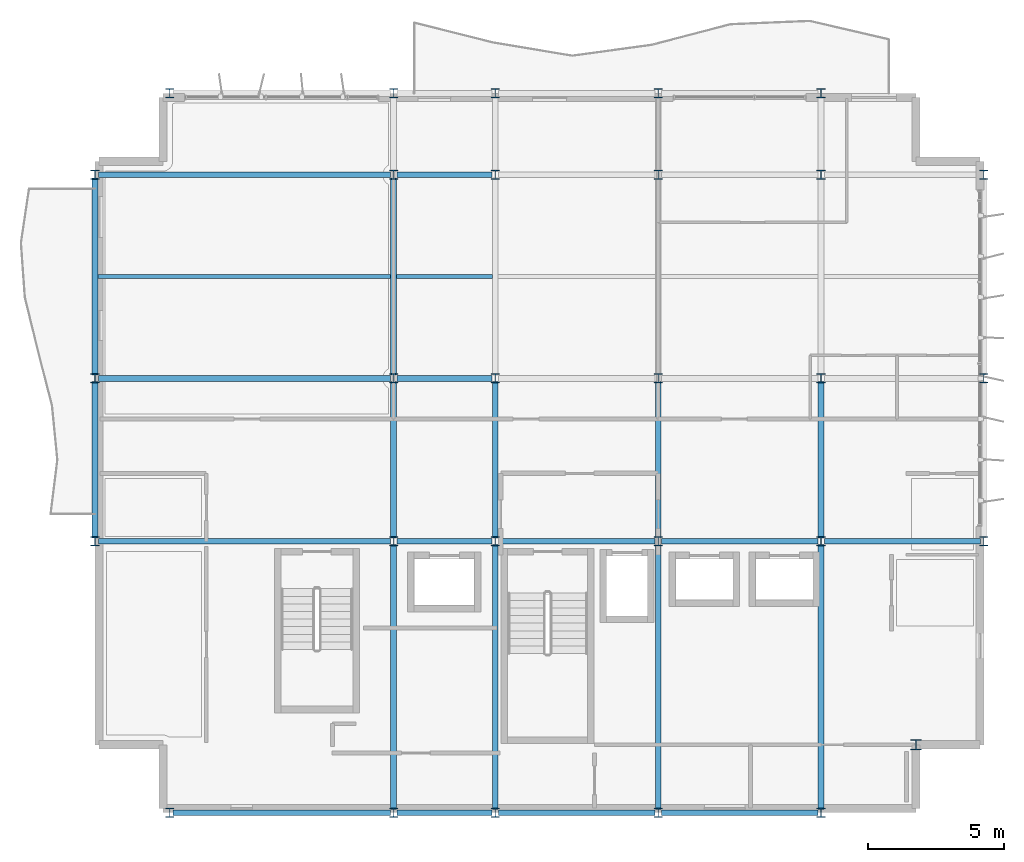
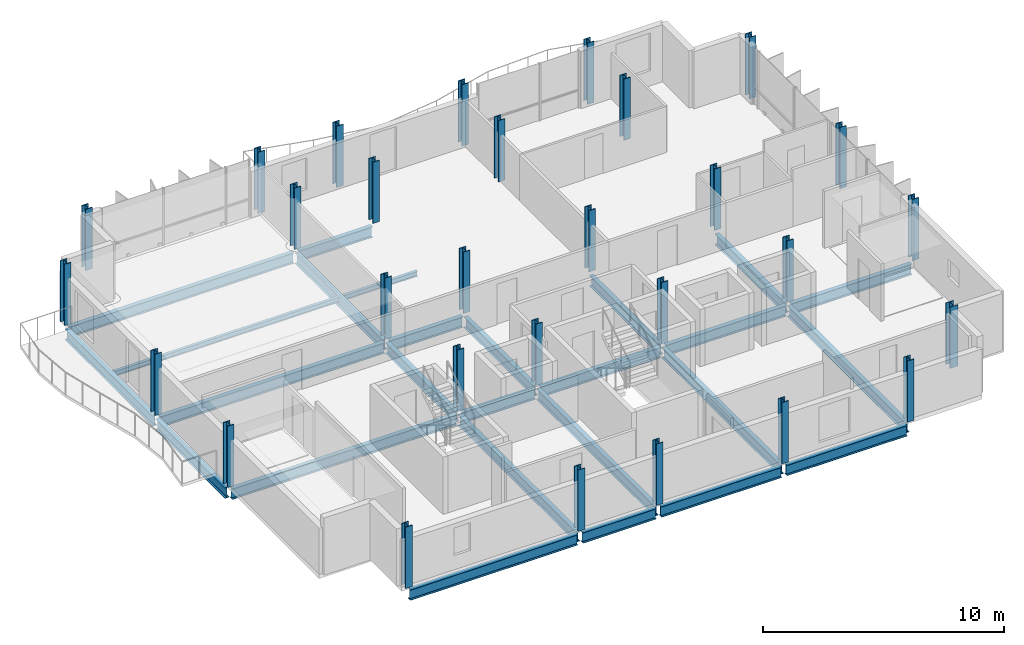
# One storey, part 1 of 12: 29 columns, 26 beams.
"""IFC4 building model written with IfcOpenShell, lengths in metres."""

from ifc_helpers import new_model, si_unit, direction, frame, origin, origin_2d, place, context, subcontext, project, spatial, i_section, extrude, material, material_profile, profile_set, type_object, element, save


model = new_model("IFC4")

# Units and contexts
model_context = context("Model", 3, precision=1e-05, world=origin(), true_north=direction((0.0, 1.0)))
body_context = subcontext(model_context, "Body", "Model", "MODEL_VIEW")
ifc_project = project(units=[si_unit("LENGTHUNIT", "METRE"), si_unit("AREAUNIT", "SQUARE_METRE"), si_unit("VOLUMEUNIT", "CUBIC_METRE"), si_unit("PLANEANGLEUNIT", "RADIAN"), si_unit("MASSUNIT", "GRAM", prefix="KILO")], contexts=[model_context])

# Site, building, storey
site_placement = place(None, origin())
site = spatial("IfcSite", under=ifc_project, at=site_placement, CompositionType="ELEMENT")
building_placement = place(site_placement, origin())
building = spatial("IfcBuilding", under=site, at=building_placement, Name="Brevholm Reach", CompositionType="ELEMENT")
storey_placement = place(building_placement, frame((0.0, 0.0, 230.39990234375)))
storey = spatial("IfcBuildingStorey", under=building, at=storey_placement, Name="L70", CompositionType="ELEMENT", Elevation=230.39990234375)

# Columns
ifc_material_1 = material(Name="Structural Steel S355J2", Category="steel")
ifc_material_profile_1 = material_profile(ifc_material_1, i_section(OverallWidth=0.374755859375, OverallDepth=0.37451171875, WebThickness=0.0166015625, FlangeThickness=0.027099609375, FilletRadius=0.01513671875, at=origin_2d()), Name="UKC 356x368x202")
ifc_profile_set_1 = profile_set([ifc_material_profile_1], Name="Structural Steel S355J2")
column_type_1 = type_object("IfcColumnType", Name="COL-UC6", PredefinedType="COLUMN", material=ifc_profile_set_1)
column_placement = place(storey_placement, frame((57.5, 2.5, 0.0), z_axis=(0.0, 0.0, 1.0), x_axis=(1.0, 0.0, 0.0)))
element("IfcColumn", 1, at=column_placement, inside=storey, type_object=column_type_1, Name="L70 Column 26", PredefinedType="COLUMN", context=body_context, shape_type="SweptSolid", body=[
    extrude(i_section(OverallWidth=0.374755859375, OverallDepth=0.37451171875, WebThickness=0.0166015625, FlangeThickness=0.027099609375, FilletRadius=0.01513671875, at=origin_2d()), origin(), (0.0, 0.0, 1.0), 3.10009765625),
])
ifc_material_2 = material(Name="Structural Steel S355J2", Category="steel")
ifc_material_profile_2 = material_profile(ifc_material_2, i_section(OverallWidth=0.318359375, OverallDepth=0.3525390625, WebThickness=0.02294921875, FlangeThickness=0.03759765625, FilletRadius=0.01513671875, at=origin_2d()), Name="UKC 305x305x240")
ifc_profile_set_2 = profile_set([ifc_material_profile_2], Name="Structural Steel S355J2")
column_type_2 = type_object("IfcColumnType", Name="COL-UC6B", PredefinedType="COLUMN", material=ifc_profile_set_2)
for number, where, z_axis, x_axis, name in (
    (2, (27.25, 10.0, 0.0), (0.0, 0.0, 1.0), (1.0, 0.0, 0.0), "L70 Column 01"),
    (3, (27.25, 16.0, 0.0), (0.0, 0.0, 1.0), (1.0, 0.0, 0.0), "L70 Column 02"),
    (4, (27.25, 23.5, 0.0), (0.0, 0.0, 1.0), (1.0, 0.0, 0.0), "L70 Column 03"),
    (5, (30.0, 0.0, 0.0), (0.0, 0.0, 1.0), (1.0, 0.0, 0.0), "L70 Column 04"),
    (6, (30.0, 26.5, 0.0), (0.0, 0.0, 1.0), (1.0, 0.0, 0.0), "L70 Column 05"),
    (7, (38.25, 0.0, 0.0), (0.0, 0.0, 1.0), (1.0, 0.0, 0.0), "L70 Column 06"),
    (8, (38.25, 10.0, 0.0), (0.0, 0.0, 1.0), (1.0, 0.0, 0.0), "L70 Column 07"),
    (9, (38.25, 16.0, 0.0), (0.0, 0.0, 1.0), (1.0, 0.0, 0.0), "L70 Column 08"),
    (10, (38.25, 23.5, 0.0), (0.0, 0.0, 1.0), (1.0, 0.0, 0.0), "L70 Column 09"),
    (11, (38.25, 26.5, 0.0), (0.0, 0.0, 1.0), (1.0, 0.0, 0.0), "L70 Column 10"),
    (12, (42.0, 0.0, 0.0), (0.0, 0.0, 1.0), (1.0, 0.0, 0.0), "L70 Column 11"),
    (13, (42.0, 10.0, 0.0), (0.0, 0.0, 1.0), (1.0, 0.0, 0.0), "L70 Column 12"),
    (14, (42.0, 16.0, 0.0), (0.0, 0.0, 1.0), (1.0, 0.0, 0.0), "L70 Column 13"),
    (15, (42.0, 23.5, 0.0), (0.0, 0.0, 1.0), (1.0, 0.0, 0.0), "L70 Column 14"),
    (16, (42.0, 26.5, 0.0), (0.0, 0.0, 1.0), (1.0, 0.0, 0.0), "L70 Column 15"),
    (17, (48.0, 0.0, 0.0), (0.0, 0.0, 1.0), (1.0, 0.0, 0.0), "L70 Column 16"),
    (18, (48.0, 10.0, 0.0), (0.0, 0.0, 1.0), (1.0, 0.0, 0.0), "L70 Column 17"),
    (19, (48.0, 16.0, 0.0), (0.0, 0.0, 1.0), (1.0, 0.0, 0.0), "L70 Column 18"),
    (20, (48.0, 23.5, 0.0), (0.0, 0.0, 1.0), (1.0, 0.0, 0.0), "L70 Column 19"),
    (21, (48.0, 26.5, 0.0), (0.0, 0.0, 1.0), (1.0, 0.0, 0.0), "L70 Column 20"),
    (22, (54.0, 0.0, 0.0), (0.0, 0.0, 1.0), (1.0, 0.0, 0.0), "L70 Column 21"),
    (23, (54.0, 10.0, 0.0), (0.0, 0.0, 1.0), (1.0, 0.0, 0.0), "L70 Column 22"),
    (24, (54.0, 16.0, 0.0), (0.0, 0.0, 1.0), (1.0, 0.0, 0.0), "L70 Column 23"),
    (25, (54.0, 23.5, 0.0), (0.0, 0.0, 1.0), (1.0, 0.0, 0.0), "L70 Column 24"),
    (26, (54.0, 26.5, 0.0), (0.0, 0.0, 1.0), (1.0, 0.0, 0.0), "L70 Column 25"),
    (27, (60.0, 10.0, 0.0), (0.0, 0.0, 1.0), (1.0, 0.0, 0.0), "L70 Column 27"),
    (28, (60.0, 16.0, 0.0), (0.0, 0.0, 1.0), (1.0, 0.0, 0.0), "L70 Column 28"),
    (29, (60.0, 23.5, 0.0), (0.0, 0.0, 1.0), (1.0, 0.0, 0.0), "L70 Column 29"),
):
    element("IfcColumn", number, at=place(storey_placement, frame(where, z_axis=z_axis, x_axis=x_axis)), inside=storey, type_object=column_type_2, Name=name, PredefinedType="COLUMN", context=body_context, shape_type="SweptSolid", body=[
        extrude(i_section(OverallWidth=0.318359375, OverallDepth=0.3525390625, WebThickness=0.02294921875, FlangeThickness=0.03759765625, FilletRadius=0.01513671875, at=origin_2d()), origin(), (0.0, 0.0, 1.0), 3.10009765625),
    ])

# Beams
ifc_material_3 = material(Name="Structural Steel S355J2", Category="steel")
ifc_material_profile_3 = material_profile(ifc_material_3, i_section(OverallWidth=0.14599609375, OverallDepth=0.25146484375, WebThickness=0.006103515625, FlangeThickness=0.008544921875, FilletRadius=0.007568359375, at=origin_2d()), Name="UKB 254x146x31")
ifc_profile_set_3 = profile_set([ifc_material_profile_3], Name="Structural Steel S355J2")
beam_type_1 = type_object("IfcBeamType", Name="BM-B254", PredefinedType="BEAM", material=ifc_profile_set_3)
beam_1_placement = place(storey_placement, frame((27.354736328125, 19.75, -0.335693359375), z_axis=(1.0, 0.0, 0.0), x_axis=(0.0, 1.0, 0.0)))
element("IfcBeam", 30, at=beam_1_placement, inside=storey, type_object=beam_type_1, Name="L70 Composite Secondary Floor Beam", PredefinedType="BEAM", context=body_context, shape_type="SweptSolid", body=[
    extrude(i_section(OverallWidth=0.14599609375, OverallDepth=0.25146484375, WebThickness=0.006103515625, FlangeThickness=0.008544921875, FilletRadius=0.007568359375, at=origin_2d()), origin(), (0.0, 0.0, 1.0), 10.789794921875),
])
beam_2_placement = place(storey_placement, frame((38.35546875, 19.75, -0.335693359375), z_axis=(1.0, 0.0, 0.0), x_axis=(0.0, 1.0, 0.0)))
element("IfcBeam", 31, at=beam_2_placement, inside=storey, type_object=beam_type_1, Name="L70 Composite Secondary Floor Beam", PredefinedType="BEAM", context=body_context, shape_type="SweptSolid", body=[
    extrude(i_section(OverallWidth=0.14599609375, OverallDepth=0.25146484375, WebThickness=0.006103515625, FlangeThickness=0.008544921875, FilletRadius=0.007568359375, at=origin_2d()), origin(), (0.0, 0.0, 1.0), 3.5390625),
])
ifc_material_4 = material(Name="Structural Steel S355J2", Category="steel")
ifc_material_profile_4 = material_profile(ifc_material_4, i_section(OverallWidth=0.209228515625, OverallDepth=0.533203125, WebThickness=0.010009765625, FlangeThickness=0.015625, FilletRadius=0.0126953125, at=origin_2d()), Name="UKB 533x210x92")
ifc_profile_set_4 = profile_set([ifc_material_profile_4], Name="Structural Steel S355J2")
beam_type_2 = type_object("IfcBeamType", Name="BM-SP533", PredefinedType="SPANDREL", material=ifc_profile_set_4)
beam_3_placement = place(storey_placement, frame((30.1201171875, 0.0, -0.4765625), z_axis=(1.0, 0.0, 0.0), x_axis=(0.0, 1.0, 0.0)))
element("IfcBeam", 32, at=beam_3_placement, inside=storey, type_object=beam_type_2, Name="L70 SP-02 Framing Beam", PredefinedType="SPANDREL", context=body_context, shape_type="SweptSolid", body=[
    extrude(i_section(OverallWidth=0.209228515625, OverallDepth=0.533203125, WebThickness=0.010009765625, FlangeThickness=0.015625, FilletRadius=0.0126953125, at=origin_2d()), origin(), (0.0, 0.0, 1.0), 8.009765625),
])
beam_4_placement = place(storey_placement, frame((38.3701171875, 0.0, -0.4765625), z_axis=(1.0, 0.0, 0.0), x_axis=(0.0, 1.0, 0.0)))
element("IfcBeam", 33, at=beam_4_placement, inside=storey, type_object=beam_type_2, Name="L70 SP-02 Framing Beam", PredefinedType="SPANDREL", context=body_context, shape_type="SweptSolid", body=[
    extrude(i_section(OverallWidth=0.209228515625, OverallDepth=0.533203125, WebThickness=0.010009765625, FlangeThickness=0.015625, FilletRadius=0.0126953125, at=origin_2d()), origin(), (0.0, 0.0, 1.0), 3.509765625),
])
for number, where, z_axis, x_axis, name in (
    (34, (42.1201171875, 0.0, -0.4765625), (1.0, 0.0, 0.0), (0.0, 1.0, 0.0), "L70 SP-02 Framing Beam"),
    (35, (48.1201171875, 0.0, -0.4765625), (1.0, 0.0, 0.0), (0.0, 1.0, 0.0), "L70 SP-02 Framing Beam"),
    (36, (27.25, 10.1201171875, -0.4765625), (0.0, 1.0, 0.0), (-1.0, 0.0, 0.0), "L70 SP-02 Framing Beam"),
):
    element("IfcBeam", number, at=place(storey_placement, frame(where, z_axis=z_axis, x_axis=x_axis)), inside=storey, type_object=beam_type_2, Name=name, PredefinedType="SPANDREL", context=body_context, shape_type="SweptSolid", body=[
        extrude(i_section(OverallWidth=0.209228515625, OverallDepth=0.533203125, WebThickness=0.010009765625, FlangeThickness=0.015625, FilletRadius=0.0126953125, at=origin_2d()), origin(), (0.0, 0.0, 1.0), 5.759765625),
    ])
beam_5_placement = place(storey_placement, frame((27.25, 16.1201171875, -0.4765625), z_axis=(0.0, 1.0, 0.0), x_axis=(-1.0, 0.0, 0.0)))
element("IfcBeam", 37, at=beam_5_placement, inside=storey, type_object=beam_type_2, Name="L70 SP-02 Framing Beam", PredefinedType="SPANDREL", context=body_context, shape_type="SweptSolid", body=[
    extrude(i_section(OverallWidth=0.209228515625, OverallDepth=0.533203125, WebThickness=0.010009765625, FlangeThickness=0.015625, FilletRadius=0.0126953125, at=origin_2d()), origin(), (0.0, 0.0, 1.0), 7.259765625),
])
ifc_material_5 = material(Name="Structural Steel S355J2", Category="steel")
ifc_material_profile_5 = material_profile(ifc_material_5, i_section(OverallWidth=0.210693359375, OverallDepth=0.53955078125, WebThickness=0.01171875, FlangeThickness=0.018798828125, FilletRadius=0.0126953125, at=origin_2d()), Name="UKB 533x210x109")
ifc_profile_set_5 = profile_set([ifc_material_profile_5], Name="Structural Steel S355J2")
beam_type_3 = type_object("IfcBeamType", Name="BM-SP539", PredefinedType="SPANDREL", material=ifc_profile_set_5)
beam_6_placement = place(storey_placement, frame((27.3701171875, 10.0, -0.479736328125), z_axis=(1.0, 0.0, 0.0), x_axis=(0.0, 1.0, 0.0)))
element("IfcBeam", 38, at=beam_6_placement, inside=storey, type_object=beam_type_3, Name="L70 SP-01B Framing Beam", PredefinedType="SPANDREL", context=body_context, shape_type="SweptSolid", body=[
    extrude(i_section(OverallWidth=0.210693359375, OverallDepth=0.53955078125, WebThickness=0.01171875, FlangeThickness=0.018798828125, FilletRadius=0.0126953125, at=origin_2d()), origin(), (0.0, 0.0, 1.0), 10.759765625),
])
beam_7_placement = place(storey_placement, frame((38.3701171875, 10.0, -0.479736328125), z_axis=(1.0, 0.0, 0.0), x_axis=(0.0, 1.0, 0.0)))
element("IfcBeam", 39, at=beam_7_placement, inside=storey, type_object=beam_type_3, Name="L70 SP-01B Framing Beam", PredefinedType="SPANDREL", context=body_context, shape_type="SweptSolid", body=[
    extrude(i_section(OverallWidth=0.210693359375, OverallDepth=0.53955078125, WebThickness=0.01171875, FlangeThickness=0.018798828125, FilletRadius=0.0126953125, at=origin_2d()), origin(), (0.0, 0.0, 1.0), 3.509765625),
])
for number, where, z_axis, x_axis, name in (
    (40, (42.1201171875, 10.0, -0.479736328125), (1.0, 0.0, 0.0), (0.0, 1.0, 0.0), "L70 SP-01B Framing Beam"),
    (41, (48.1201171875, 10.0, -0.479736328125), (1.0, 0.0, 0.0), (0.0, 1.0, 0.0), "L70 SP-01B Framing Beam"),
    (42, (54.1201171875, 10.0, -0.479736328125), (1.0, 0.0, 0.0), (0.0, 1.0, 0.0), "L70 SP-01B Framing Beam"),
):
    element("IfcBeam", number, at=place(storey_placement, frame(where, z_axis=z_axis, x_axis=x_axis)), inside=storey, type_object=beam_type_3, Name=name, PredefinedType="SPANDREL", context=body_context, shape_type="SweptSolid", body=[
        extrude(i_section(OverallWidth=0.210693359375, OverallDepth=0.53955078125, WebThickness=0.01171875, FlangeThickness=0.018798828125, FilletRadius=0.0126953125, at=origin_2d()), origin(), (0.0, 0.0, 1.0), 5.759765625),
    ])
beam_8_placement = place(storey_placement, frame((27.3701171875, 16.0, -0.479736328125), z_axis=(1.0, 0.0, 0.0), x_axis=(0.0, 1.0, 0.0)))
element("IfcBeam", 43, at=beam_8_placement, inside=storey, type_object=beam_type_3, Name="L70 SP-01B Framing Beam", PredefinedType="SPANDREL", context=body_context, shape_type="SweptSolid", body=[
    extrude(i_section(OverallWidth=0.210693359375, OverallDepth=0.53955078125, WebThickness=0.01171875, FlangeThickness=0.018798828125, FilletRadius=0.0126953125, at=origin_2d()), origin(), (0.0, 0.0, 1.0), 10.759765625),
])
beam_9_placement = place(storey_placement, frame((38.3701171875, 16.0, -0.479736328125), z_axis=(1.0, 0.0, 0.0), x_axis=(0.0, 1.0, 0.0)))
element("IfcBeam", 44, at=beam_9_placement, inside=storey, type_object=beam_type_3, Name="L70 SP-01B Framing Beam", PredefinedType="SPANDREL", context=body_context, shape_type="SweptSolid", body=[
    extrude(i_section(OverallWidth=0.210693359375, OverallDepth=0.53955078125, WebThickness=0.01171875, FlangeThickness=0.018798828125, FilletRadius=0.0126953125, at=origin_2d()), origin(), (0.0, 0.0, 1.0), 3.509765625),
])
beam_10_placement = place(storey_placement, frame((27.3701171875, 23.5, -0.479736328125), z_axis=(1.0, 0.0, 0.0), x_axis=(0.0, 1.0, 0.0)))
element("IfcBeam", 45, at=beam_10_placement, inside=storey, type_object=beam_type_3, Name="L70 SP-01B Framing Beam", PredefinedType="SPANDREL", context=body_context, shape_type="SweptSolid", body=[
    extrude(i_section(OverallWidth=0.210693359375, OverallDepth=0.53955078125, WebThickness=0.01171875, FlangeThickness=0.018798828125, FilletRadius=0.0126953125, at=origin_2d()), origin(), (0.0, 0.0, 1.0), 10.759765625),
])
beam_11_placement = place(storey_placement, frame((38.3701171875, 23.5, -0.479736328125), z_axis=(1.0, 0.0, 0.0), x_axis=(0.0, 1.0, 0.0)))
element("IfcBeam", 46, at=beam_11_placement, inside=storey, type_object=beam_type_3, Name="L70 SP-01B Framing Beam", PredefinedType="SPANDREL", context=body_context, shape_type="SweptSolid", body=[
    extrude(i_section(OverallWidth=0.210693359375, OverallDepth=0.53955078125, WebThickness=0.01171875, FlangeThickness=0.018798828125, FilletRadius=0.0126953125, at=origin_2d()), origin(), (0.0, 0.0, 1.0), 3.509765625),
])
beam_12_placement = place(storey_placement, frame((38.25, 0.1201171875, -0.479736328125), z_axis=(0.0, 1.0, 0.0), x_axis=(-1.0, 0.0, 0.0)))
element("IfcBeam", 47, at=beam_12_placement, inside=storey, type_object=beam_type_3, Name="L70 SP-01B Framing Beam", PredefinedType="SPANDREL", context=body_context, shape_type="SweptSolid", body=[
    extrude(i_section(OverallWidth=0.210693359375, OverallDepth=0.53955078125, WebThickness=0.01171875, FlangeThickness=0.018798828125, FilletRadius=0.0126953125, at=origin_2d()), origin(), (0.0, 0.0, 1.0), 9.759765625),
])
beam_13_placement = place(storey_placement, frame((38.25, 10.1201171875, -0.479736328125), z_axis=(0.0, 1.0, 0.0), x_axis=(-1.0, 0.0, 0.0)))
element("IfcBeam", 48, at=beam_13_placement, inside=storey, type_object=beam_type_3, Name="L70 SP-01B Framing Beam", PredefinedType="SPANDREL", context=body_context, shape_type="SweptSolid", body=[
    extrude(i_section(OverallWidth=0.210693359375, OverallDepth=0.53955078125, WebThickness=0.01171875, FlangeThickness=0.018798828125, FilletRadius=0.0126953125, at=origin_2d()), origin(), (0.0, 0.0, 1.0), 5.759765625),
])
beam_14_placement = place(storey_placement, frame((38.25, 16.1201171875, -0.479736328125), z_axis=(0.0, 1.0, 0.0), x_axis=(-1.0, 0.0, 0.0)))
element("IfcBeam", 49, at=beam_14_placement, inside=storey, type_object=beam_type_3, Name="L70 SP-01B Framing Beam", PredefinedType="SPANDREL", context=body_context, shape_type="SweptSolid", body=[
    extrude(i_section(OverallWidth=0.210693359375, OverallDepth=0.53955078125, WebThickness=0.01171875, FlangeThickness=0.018798828125, FilletRadius=0.0126953125, at=origin_2d()), origin(), (0.0, 0.0, 1.0), 7.259765625),
])
beam_15_placement = place(storey_placement, frame((42.0, 0.1201171875, -0.479736328125), z_axis=(0.0, 1.0, 0.0), x_axis=(-1.0, 0.0, 0.0)))
element("IfcBeam", 50, at=beam_15_placement, inside=storey, type_object=beam_type_3, Name="L70 SP-01B Framing Beam", PredefinedType="SPANDREL", context=body_context, shape_type="SweptSolid", body=[
    extrude(i_section(OverallWidth=0.210693359375, OverallDepth=0.53955078125, WebThickness=0.01171875, FlangeThickness=0.018798828125, FilletRadius=0.0126953125, at=origin_2d()), origin(), (0.0, 0.0, 1.0), 9.759765625),
])
beam_16_placement = place(storey_placement, frame((42.0, 10.1201171875, -0.479736328125), z_axis=(0.0, 1.0, 0.0), x_axis=(-1.0, 0.0, 0.0)))
element("IfcBeam", 51, at=beam_16_placement, inside=storey, type_object=beam_type_3, Name="L70 SP-01B Framing Beam", PredefinedType="SPANDREL", context=body_context, shape_type="SweptSolid", body=[
    extrude(i_section(OverallWidth=0.210693359375, OverallDepth=0.53955078125, WebThickness=0.01171875, FlangeThickness=0.018798828125, FilletRadius=0.0126953125, at=origin_2d()), origin(), (0.0, 0.0, 1.0), 5.759765625),
])
beam_17_placement = place(storey_placement, frame((48.0, 0.1201171875, -0.479736328125), z_axis=(0.0, 1.0, 0.0), x_axis=(-1.0, 0.0, 0.0)))
element("IfcBeam", 52, at=beam_17_placement, inside=storey, type_object=beam_type_3, Name="L70 SP-01B Framing Beam", PredefinedType="SPANDREL", context=body_context, shape_type="SweptSolid", body=[
    extrude(i_section(OverallWidth=0.210693359375, OverallDepth=0.53955078125, WebThickness=0.01171875, FlangeThickness=0.018798828125, FilletRadius=0.0126953125, at=origin_2d()), origin(), (0.0, 0.0, 1.0), 9.759765625),
])
beam_18_placement = place(storey_placement, frame((48.0, 10.1201171875, -0.479736328125), z_axis=(0.0, 1.0, 0.0), x_axis=(-1.0, 0.0, 0.0)))
element("IfcBeam", 53, at=beam_18_placement, inside=storey, type_object=beam_type_3, Name="L70 SP-01B Framing Beam", PredefinedType="SPANDREL", context=body_context, shape_type="SweptSolid", body=[
    extrude(i_section(OverallWidth=0.210693359375, OverallDepth=0.53955078125, WebThickness=0.01171875, FlangeThickness=0.018798828125, FilletRadius=0.0126953125, at=origin_2d()), origin(), (0.0, 0.0, 1.0), 5.759765625),
])
beam_19_placement = place(storey_placement, frame((54.0, 0.1201171875, -0.479736328125), z_axis=(0.0, 1.0, 0.0), x_axis=(-1.0, 0.0, 0.0)))
element("IfcBeam", 54, at=beam_19_placement, inside=storey, type_object=beam_type_3, Name="L70 SP-01B Framing Beam", PredefinedType="SPANDREL", context=body_context, shape_type="SweptSolid", body=[
    extrude(i_section(OverallWidth=0.210693359375, OverallDepth=0.53955078125, WebThickness=0.01171875, FlangeThickness=0.018798828125, FilletRadius=0.0126953125, at=origin_2d()), origin(), (0.0, 0.0, 1.0), 9.759765625),
])
beam_20_placement = place(storey_placement, frame((54.0, 10.1201171875, -0.479736328125), z_axis=(0.0, 1.0, 0.0), x_axis=(-1.0, 0.0, 0.0)))
element("IfcBeam", 55, at=beam_20_placement, inside=storey, type_object=beam_type_3, Name="L70 SP-01B Framing Beam", PredefinedType="SPANDREL", context=body_context, shape_type="SweptSolid", body=[
    extrude(i_section(OverallWidth=0.210693359375, OverallDepth=0.53955078125, WebThickness=0.01171875, FlangeThickness=0.018798828125, FilletRadius=0.0126953125, at=origin_2d()), origin(), (0.0, 0.0, 1.0), 5.759765625),
])

save(model, "model.ifc")
